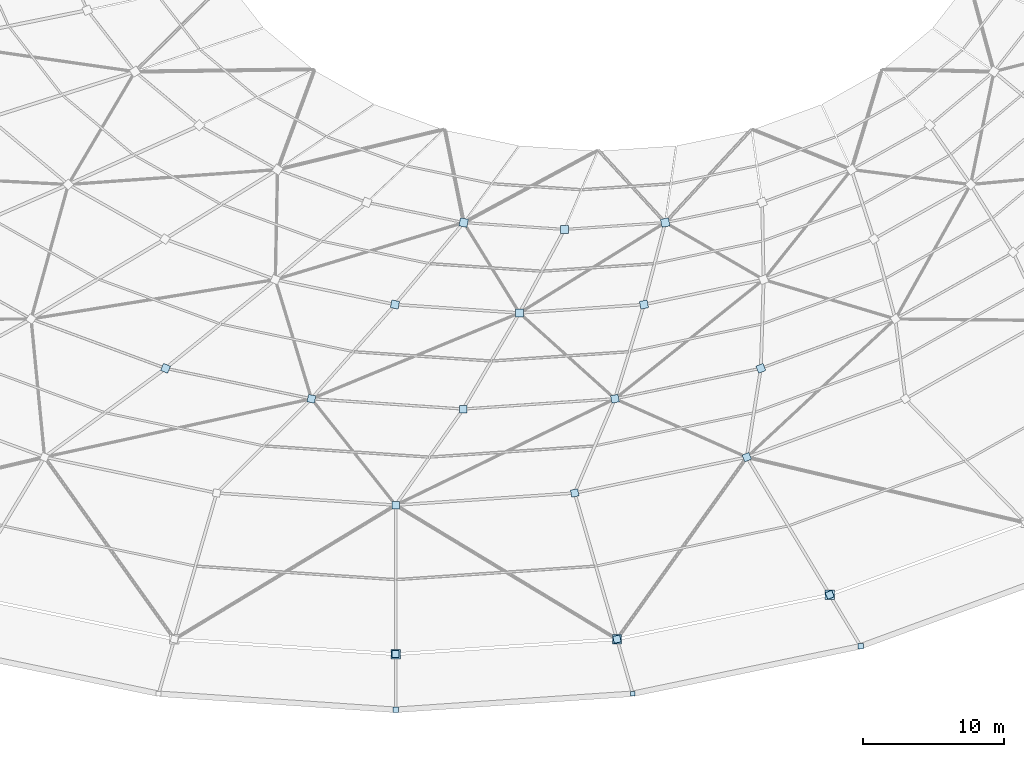
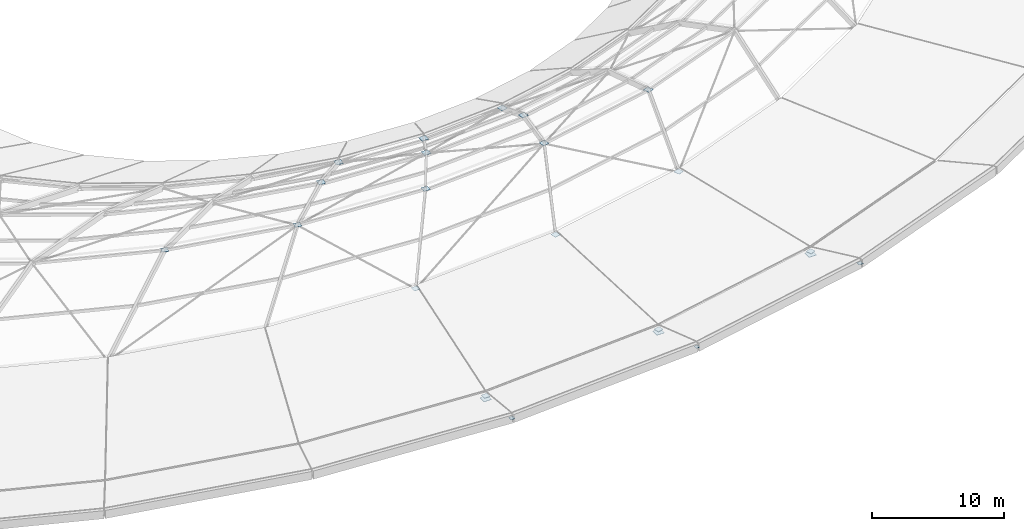
# One storey, part 19 of 30: 23 plates.
"""IFC4 building model written with IfcOpenShell, lengths in metres."""

from ifc_helpers import new_model, si_unit, direction, frame, origin, origin_2d, place, context, subcontext, project, spatial, rectangle, extrude, material, layer, layer_set, type_object, element, save


model = new_model("IFC4")

# Units and contexts
model_context = context("Model", 3, precision=1e-05, world=origin(), true_north=direction((0.0, 1.0)))
body_context = subcontext(model_context, "Body", "Model", "MODEL_VIEW")
ifc_project = project(units=[si_unit("LENGTHUNIT", "METRE"), si_unit("AREAUNIT", "SQUARE_METRE"), si_unit("VOLUMEUNIT", "CUBIC_METRE"), si_unit("PLANEANGLEUNIT", "RADIAN"), si_unit("MASSUNIT", "GRAM", prefix="KILO")], contexts=[model_context])

# Site, building, storey
site_placement = place(None, origin())
site = spatial("IfcSite", under=ifc_project, at=site_placement, CompositionType="ELEMENT")
building_placement = place(site_placement, origin())
building = spatial("IfcBuilding", under=site, at=building_placement, Name="Namkhue Oval Health Centre", CompositionType="ELEMENT")
storey_placement = place(building_placement, frame((0.0, 0.0, 26.39990234375)))
storey = spatial("IfcBuildingStorey", under=building, at=storey_placement, Name="RF", CompositionType="ELEMENT", Elevation=26.39990234375)

# Plates
ifc_material = material(Name="Structural steel EN 10025-2 S355JR (TCVN 5575:2024)", Category="steel")
ifc_layer_1 = layer(ifc_material, 0.02490234375)
ifc_layer_set_1 = layer_set([ifc_layer_1], Name="Structural steel EN 10025-2 S355JR (TCVN 5575:2024)")
plate_type_1 = type_object("IfcPlateType", Name="BASE SPLICE PLATE 660X660X25", PredefinedType="USERDEFINED", material=ifc_layer_set_1)
for number, where, z_axis, x_axis, name in (
    (1, (86.39990234375, 3.9599609375, 0.047607421875), (0.0, 0.0, 1.0), (1.0, 0.0, 0.0), "Gridshell OR Ring Bearing Plate 25"),
    (2, (102.132080078125, 5.025146484375, 0.047607421875), (0.0, 0.0, 1.0), (1.0, 0.0, 0.0), "Gridshell OR Ring Bearing Plate 26"),
    (3, (117.259521484375, 8.18017578125, 0.047607421875), (0.0, 0.0, 1.0), (1.0, 0.0, 0.0), "Gridshell OR Ring Bearing Plate 27"),
):
    element("IfcPlate", number, at=place(storey_placement, frame(where, z_axis=z_axis, x_axis=x_axis)), inside=storey, type_object=plate_type_1, Name=name, ObjectType="BASE_PLATE", PredefinedType="USERDEFINED", context=body_context, shape_type="SweptSolid", body=[
        extrude(rectangle(XDim=0.659912109375, YDim=0.659912109375, at=origin_2d()), origin(), (0.0, 0.0, 1.0), 0.02490234375),
    ])
ifc_layer_2 = layer(ifc_material, 0.02001953125)
ifc_layer_set_2 = layer_set([ifc_layer_2], Name="Structural steel EN 10025-2 S355JR (TCVN 5575:2024)")
plate_type_2 = type_object("IfcPlateType", Name="GRIDSHELL GUSSET PLATE 500X500X20", PredefinedType="USERDEFINED", material=ifc_layer_set_2)
for number, where, z_axis, x_axis, name in (
    (4, (86.39990234375, 3.9599609375, 0.31005859375), (0.0, 0.0, 1.0), (0.0, -1.0, 0.0), "Gridshell Node Gusset Plate K1-25"),
    (5, (102.132080078125, 5.025146484375, 0.31005859375), (0.0, 0.0, 1.0), (0.195090322016, -0.980785280403, 0.0), "Gridshell Node Gusset Plate K1-26"),
    (6, (117.259521484375, 8.18017578125, 0.31005859375), (0.0, 0.0, 1.0), (0.382683432365, -0.923879532511, 0.0), "Gridshell Node Gusset Plate K1-27"),
):
    element("IfcPlate", number, at=place(storey_placement, frame(where, z_axis=z_axis, x_axis=x_axis)), inside=storey, type_object=plate_type_2, Name=name, ObjectType="GUSSET_PLATE", PredefinedType="USERDEFINED", context=body_context, shape_type="SweptSolid", body=[
        extrude(rectangle(XDim=0.5, YDim=0.5, at=origin_2d()), origin(), (0.0, 0.0, 1.0), 0.02001953125),
    ])
ifc_layer_3 = layer(ifc_material, 0.02197265625)
ifc_layer_set_3 = layer_set([ifc_layer_3], Name="Structural steel EN 10025-2 S355JR (TCVN 5575:2024)")
plate_type_3 = type_object("IfcPlateType", Name="GRIDSHELL GUSSET PLATE 520X520X22", PredefinedType="USERDEFINED", material=ifc_layer_set_3)
for number, where, z_axis, x_axis, name in (
    (7, (86.39990234375, 14.552978515625, 3.80908203125), (0.0, 0.0, 1.0), (0.0, -1.0, 0.0), "Gridshell Node Gusset Plate K2-25"),
    (8, (99.126220703125, 15.414794921875, 3.80908203125), (0.0, 0.0, 1.0), (0.195090322016, -0.980785280403, 0.0), "Gridshell Node Gusset Plate K2-26"),
    (9, (111.36328125, 17.966796875, 3.80908203125), (0.0, 0.0, 1.0), (0.382683432365, -0.923879532511, 0.0), "Gridshell Node Gusset Plate K2-27"),
):
    element("IfcPlate", number, at=place(storey_placement, frame(where, z_axis=z_axis, x_axis=x_axis)), inside=storey, type_object=plate_type_3, Name=name, ObjectType="GUSSET_PLATE", PredefinedType="USERDEFINED", context=body_context, shape_type="SweptSolid", body=[
        extrude(rectangle(XDim=0.52001953125, YDim=0.52001953125, at=origin_2d()), origin(), (0.0, 0.0, 1.0), 0.02197265625),
    ])
ifc_layer_4 = layer(ifc_material, 0.02197265625)
ifc_layer_set_4 = layer_set([ifc_layer_4], Name="Structural steel EN 10025-2 S355JR (TCVN 5575:2024)")
plate_type_4 = type_object("IfcPlateType", Name="GRIDSHELL GUSSET PLATE 540X540X22", PredefinedType="USERDEFINED", material=ifc_layer_set_4)
for number, where, z_axis, x_axis, name in (
    (10, (70.0390625, 24.27783203125, 7.209228515625), (0.0, 0.0, 1.0), (-0.382683432365, -0.923879532511, 0.0), "Gridshell Node Gusset Plate K3-23"),
    (11, (80.412353515625, 22.114501953125, 7.209228515625), (0.0, 0.0, 1.0), (-0.195090322016, -0.980785280403, 0.0), "Gridshell Node Gusset Plate K3-24"),
    (12, (91.199951171875, 21.384033203125, 7.209228515625), (0.0, 0.0, 1.0), (0.0, -1.0, 0.0), "Gridshell Node Gusset Plate K3-25"),
    (13, (101.98779296875, 22.114501953125, 7.209228515625), (0.0, 0.0, 1.0), (0.195090322016, -0.980785280403, 0.0), "Gridshell Node Gusset Plate K3-26"),
    (14, (112.36083984375, 24.27783203125, 7.209228515625), (0.0, 0.0, 1.0), (0.382683432365, -0.923879532511, 0.0), "Gridshell Node Gusset Plate K3-27"),
):
    element("IfcPlate", number, at=place(storey_placement, frame(where, z_axis=z_axis, x_axis=x_axis)), inside=storey, type_object=plate_type_4, Name=name, ObjectType="GUSSET_PLATE", PredefinedType="USERDEFINED", context=body_context, shape_type="SweptSolid", body=[
        extrude(rectangle(XDim=0.5400390625, YDim=0.5400390625, at=origin_2d()), origin(), (0.0, 0.0, 1.0), 0.02197265625),
    ])
ifc_layer_5 = layer(ifc_material, 0.02392578125)
ifc_layer_set_5 = layer_set([ifc_layer_5], Name="Structural steel EN 10025-2 S355JR (TCVN 5575:2024)")
plate_type_5 = type_object("IfcPlateType", Name="GRIDSHELL GUSSET PLATE 560X560X24", PredefinedType="USERDEFINED", material=ifc_layer_set_5)
for number, where, z_axis, x_axis, name in (
    (15, (86.3505859375, 28.814208984375, 5.008056640625), (0.0, 0.0, 1.0), (-0.195090322016, -0.980785280403, 0.0), "Gridshell Node Gusset Plate K4-24"),
    (16, (95.199951171875, 28.215087890625, 5.008056640625), (0.0, 0.0, 1.0), (0.0, -1.0, 0.0), "Gridshell Node Gusset Plate K4-25"),
    (17, (104.04931640625, 28.814208984375, 5.008056640625), (0.0, 0.0, 1.0), (0.195090322016, -0.980785280403, 0.0), "Gridshell Node Gusset Plate K4-26"),
):
    element("IfcPlate", number, at=place(storey_placement, frame(where, z_axis=z_axis, x_axis=x_axis)), inside=storey, type_object=plate_type_5, Name=name, ObjectType="GUSSET_PLATE", PredefinedType="USERDEFINED", context=body_context, shape_type="SweptSolid", body=[
        extrude(rectangle(XDim=0.56005859375, YDim=0.56005859375, at=origin_2d()), origin(), (0.0, 0.0, 1.0), 0.02392578125),
    ])
ifc_layer_6 = layer(ifc_material, 0.02392578125)
ifc_layer_set_6 = layer_set([ifc_layer_6], Name="Structural steel EN 10025-2 S355JR (TCVN 5575:2024)")
plate_type_6 = type_object("IfcPlateType", Name="GRIDSHELL GUSSET PLATE 580X580X24", PredefinedType="USERDEFINED", material=ifc_layer_set_6)
for number, where, z_axis, x_axis, name in (
    (18, (91.236328125, 34.64013671875, 1.608154296875), (0.0, 0.0, 1.0), (-0.195090322016, -0.980785280403, 0.0), "Gridshell Node Gusset Plate K5-24"),
    (19, (98.39990234375, 34.155029296875, 1.608154296875), (0.0, 0.0, 1.0), (0.0, -1.0, 0.0), "Gridshell Node Gusset Plate K5-25"),
    (20, (105.563720703125, 34.64013671875, 1.608154296875), (0.0, 0.0, 1.0), (0.195090322016, -0.980785280403, 0.0), "Gridshell Node Gusset Plate K5-26"),
):
    element("IfcPlate", number, at=place(storey_placement, frame(where, z_axis=z_axis, x_axis=x_axis)), inside=storey, type_object=plate_type_6, Name=name, ObjectType="GUSSET_PLATE", PredefinedType="USERDEFINED", context=body_context, shape_type="SweptSolid", body=[
        extrude(rectangle(XDim=0.580078125, YDim=0.580078125, at=origin_2d()), origin(), (0.0, 0.0, 1.0), 0.02392578125),
    ])
ifc_layer_7 = layer(ifc_material, 0.02001953125)
ifc_layer_set_7 = layer_set([ifc_layer_7], Name="Structural steel EN 10025-2 S355JR (TCVN 5575:2024)")
plate_type_7 = type_object("IfcPlateType", Name="STEEL END CAP PLATE 340X340X20", PredefinedType="USERDEFINED", material=ifc_layer_set_7)
plate_placement = place(storey_placement, frame((103.255859375, 1.141357421875, 0.655029296875), z_axis=(0.0, 0.0, 1.0), x_axis=(1.0, 0.0, 0.0)))
element("IfcPlate", 21, at=plate_placement, inside=storey, type_object=plate_type_7, Name="Outer Eaves Strut Cap Plate 26", ObjectType="BASE_PLATE", PredefinedType="USERDEFINED", context=body_context, shape_type="SweptSolid", body=[
    extrude(rectangle(XDim=0.340087890625, YDim=0.340087890625, at=origin_2d()), origin(), (0.0, 0.0, 1.0), 0.02001953125),
])
ifc_layer_8 = layer(ifc_material, 0.02197265625)
ifc_layer_set_8 = layer_set([ifc_layer_8], Name="Structural steel EN 10025-2 S355JR (TCVN 5575:2024)")
plate_type_8 = type_object("IfcPlateType", Name="STEEL END CAP PLATE 380X380X22", PredefinedType="USERDEFINED", material=ifc_layer_set_8)
for number, where, z_axis, x_axis, name in (
    (22, (86.39990234375, 0.0, 0.654052734375), (0.0, 0.0, 1.0), (1.0, 0.0, 0.0), "Outer Eaves Strut Cap Plate 25"),
    (23, (119.4638671875, 4.521484375, 0.654052734375), (0.0, 0.0, 1.0), (1.0, 0.0, 0.0), "Outer Eaves Strut Cap Plate 27"),
):
    element("IfcPlate", number, at=place(storey_placement, frame(where, z_axis=z_axis, x_axis=x_axis)), inside=storey, type_object=plate_type_8, Name=name, ObjectType="BASE_PLATE", PredefinedType="USERDEFINED", context=body_context, shape_type="SweptSolid", body=[
        extrude(rectangle(XDim=0.3798828125, YDim=0.3798828125, at=origin_2d()), origin(), (0.0, 0.0, 1.0), 0.02197265625),
    ])

save(model, "model.ifc")
